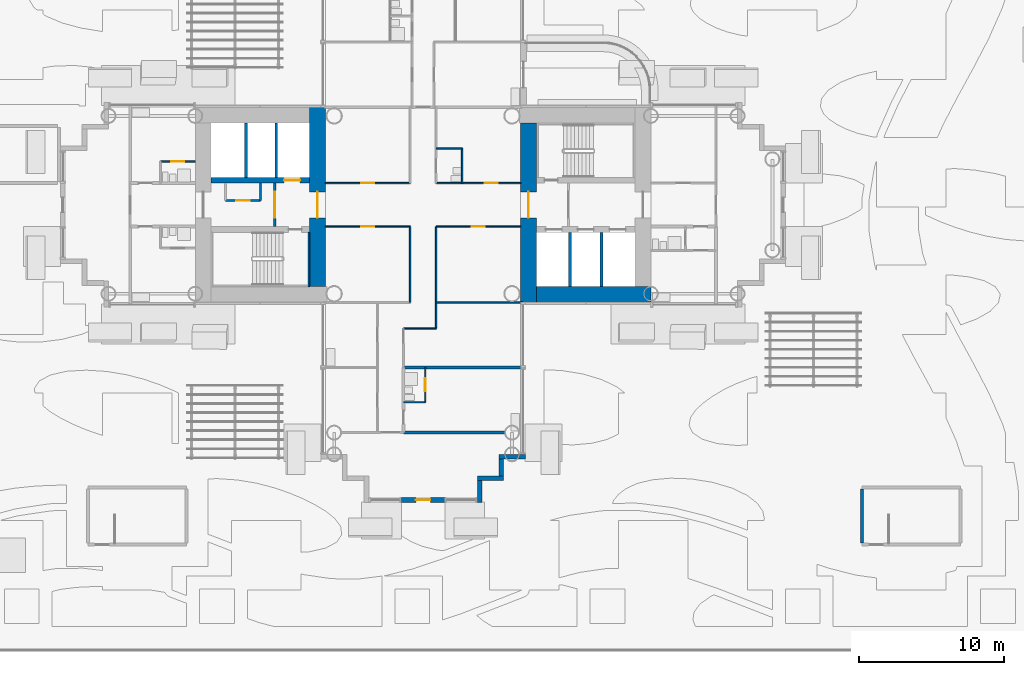
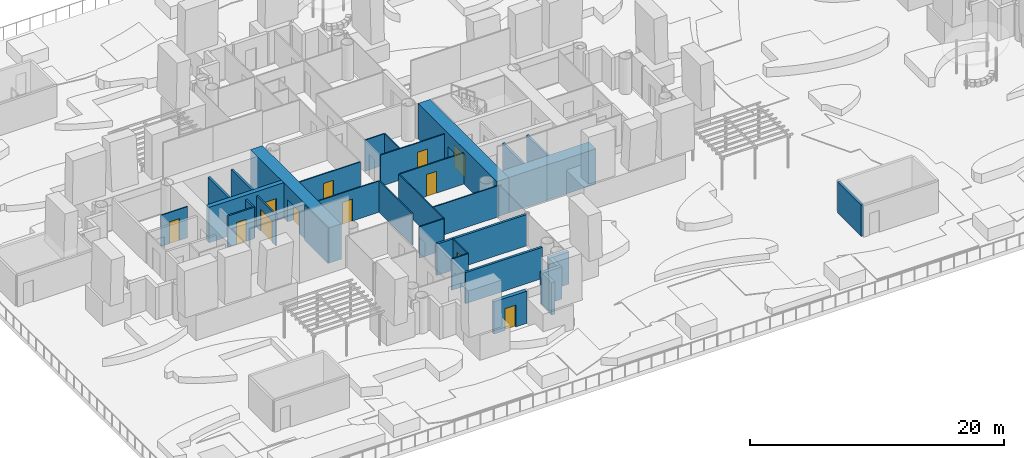
# One storey, part 24 of 40: 33 walls, 12 doors, 12 openings.
"""IFC4 building model written with IfcOpenShell, lengths in metres."""

import ifcopenshell
import ifcopenshell.guid

model = None  # the IFC model being written
_history = None  # IfcOwnerHistory: only IFC2X3 demands one
_inside = {}  # id of a spatial element -> (the spatial element, [elements in it])
_under = {}  # id of a project, library or spatial element -> (it, [spatial elements below it])
_declared = {}  # id of a project -> (the project, [libraries it declares])
_typed = {}  # id of a type object -> (the type object, [elements of that type])
_made_of = {}  # id of a material, layer set ... -> (it, [elements and type objects made of it])


def new_model(schema):
    """Start an empty IFC model of exactly this schema.

    Asked for "IFC4X3", IfcOpenShell would pick the latest addendum, in which some entities
    have other attributes; the version numbers below select the first issue.
    IFC2X3 requires an IfcOwnerHistory on every rooted entity: one is made here for all.
    """
    global model, _history
    if schema == "IFC4X3":
        model = ifcopenshell.file(schema_version=(4, 3, 0, 0))
    else:
        model = ifcopenshell.file(schema=schema)
    _inside.clear()
    _under.clear()
    _declared.clear()
    _typed.clear()
    _made_of.clear()
    _history = None
    if model.schema == "IFC2X3":
        org = make("IfcOrganization", Name="unknown")
        user = make(
            "IfcPersonAndOrganization",
            ThePerson=make("IfcPerson", FamilyName="unknown"),
            TheOrganization=org,
        )
        app = make(
            "IfcApplication",
            ApplicationDeveloper=org,
            Version="unknown",
            ApplicationFullName="unknown",
            ApplicationIdentifier="unknown",
        )
        _history = make(
            "IfcOwnerHistory",
            OwningUser=user,
            OwningApplication=app,
            ChangeAction="ADDED",
            CreationDate=0,
        )
    return model


def make(cls, **values):
    """One entity of the class cls with the attributes given. An attribute that is None is left unset."""
    return model.create_entity(
        cls, **{name: value for name, value in values.items() if value is not None}
    )


def rooted(cls, **values):
    """An entity with a GlobalId (a new one), such as an element, a storey or a relation."""
    return make(cls, GlobalId=ifcopenshell.guid.new(), OwnerHistory=_history, **values)


def si_unit(unit_type, name, prefix=None):
    """IfcSIUnit, for example si_unit("LENGTHUNIT", "METRE", prefix="MILLI")."""
    return make("IfcSIUnit", UnitType=unit_type, Prefix=prefix, Name=name)


def assignment(units):
    """IfcUnitAssignment: the units of a project."""
    return None if units is None else make("IfcUnitAssignment", Units=units)


def point(xyz):
    """IfcCartesianPoint."""
    return None if xyz is None else make("IfcCartesianPoint", Coordinates=xyz)


def direction(xyz):
    """IfcDirection."""
    return None if xyz is None else make("IfcDirection", DirectionRatios=xyz)


def frame(location, z_axis=None, x_axis=None):
    """IfcAxis2Placement3D, a coordinate frame: its origin and axes. An axis left out is left unset."""
    return make(
        "IfcAxis2Placement3D",
        Location=point(location),
        Axis=direction(z_axis),
        RefDirection=direction(x_axis),
    )


def frame_2d(location, x_axis=None):
    """IfcAxis2Placement2D, a coordinate frame in the plane: its origin and x axis."""
    return make(
        "IfcAxis2Placement2D", Location=point(location), RefDirection=direction(x_axis)
    )


def origin():
    """The frame at (0, 0, 0) with its axes left unset."""
    return frame((0.0, 0.0, 0.0))


def place(relative_to, where):
    """IfcLocalPlacement: puts the frame where relative to a parent placement (None: the world)."""
    return make(
        "IfcLocalPlacement", PlacementRelTo=relative_to, RelativePlacement=where
    )


def context(
    kind, dimensions, precision=None, world=None, true_north=None, identifier=None
):
    """IfcGeometricRepresentationContext, for example the 3D "Model" context."""
    return make(
        "IfcGeometricRepresentationContext",
        ContextIdentifier=identifier,
        ContextType=kind,
        CoordinateSpaceDimension=dimensions,
        Precision=precision,
        WorldCoordinateSystem=world,
        TrueNorth=true_north,
    )


def subcontext(parent, identifier, kind, view, scale=None):
    """IfcGeometricRepresentationSubContext, for example "Body" below "Model"."""
    return make(
        "IfcGeometricRepresentationSubContext",
        ContextIdentifier=identifier,
        ContextType=kind,
        ParentContext=parent,
        TargetScale=scale,
        TargetView=view,
    )


def project(units=None, contexts=None):
    """IfcProject with its units and contexts."""
    return rooted(
        "IfcProject",
        Name="project",
        RepresentationContexts=contexts,
        UnitsInContext=assignment(units),
    )


def spatial(cls, under=None, at=None, **own):
    """A site, building, storey or space (cls), placed at a placement, below another one or the project."""
    s = rooted(cls, ObjectPlacement=at, **own)
    if under is not None:
        _under.setdefault(under.id(), (under, []))[1].append(s)
    return s


def profile(cls, at=None, kind="AREA", **sizes):
    """A parametric profile (cls). Its sizes go by their IFC names, for example OverallWidth=200.0."""
    return make(cls, ProfileType=kind, Position=at, **sizes)


def rectangle(**sizes):
    """IfcRectangleProfileDef."""
    return profile("IfcRectangleProfileDef", **sizes)


def extrude(swept, where, along, depth):
    """IfcExtrudedAreaSolid: the profile swept, set in the frame where, extruded along a direction by depth."""
    return make(
        "IfcExtrudedAreaSolid",
        SweptArea=swept,
        Position=where,
        ExtrudedDirection=direction(along),
        Depth=depth,
    )


def shape(context_of_items, identifier, shape_type, items):
    """IfcShapeRepresentation: the items that make up one representation, for example the "Body"."""
    return make(
        "IfcShapeRepresentation",
        ContextOfItems=context_of_items,
        RepresentationIdentifier=identifier,
        RepresentationType=shape_type,
        Items=items,
    )


def material(Name=None, Category=None):
    """IfcMaterial."""
    return make("IfcMaterial", Name=Name, Category=Category)


def layer(
    of_material, thickness, ventilated=None, Name=None, Category=None, Priority=None
):
    """IfcMaterialLayer: one layer of a wall or slab, of a material (None: an air gap)."""
    return make(
        "IfcMaterialLayer",
        Material=of_material,
        LayerThickness=thickness,
        IsVentilated=ventilated,
        Name=Name,
        Category=Category,
        Priority=Priority,
    )


def layer_set(layers, Name=None):
    """IfcMaterialLayerSet."""
    return make("IfcMaterialLayerSet", MaterialLayers=layers, LayerSetName=Name)


def made_of(thing, what):
    """Note that an element or type object is made of a material, layer set ...; save() writes the relation."""
    if what is not None:
        _made_of.setdefault(what.id(), (what, []))[1].append(thing)
    return thing


def type_object(cls, material=None, **own):
    """A type object (cls), such as IfcWallType, which elements share."""
    return made_of(rooted(cls, **own), material)


def element(
    cls,
    number,
    at=None,
    inside=None,
    cuts=None,
    type_object=None,
    material=None,
    context=None,
    identifier="Body",
    shape_type=None,
    held_by="IfcProductDefinitionShape",
    body=None,
    shapes=None,
    **own,
):
    """One element of the class cls, such as IfcWall. Its Tag is "e" and its number.

    at: its placement. inside: the storey or other place that contains it. cuts: it is an
    opening in that element (IfcRelVoidsElement). A single representation is given by context,
    identifier, shape_type and body (its items); several are given by shapes. held_by: the class
    of the entity that holds the representations. save() writes the other relations.
    """
    e = rooted(cls, Tag="e%d" % number, ObjectPlacement=at, **own)
    if body is not None:
        shapes = [shape(context, identifier, shape_type, body)]
    if shapes is not None:
        e.Representation = make(held_by, Representations=shapes)
    if inside is not None:
        _inside.setdefault(inside.id(), (inside, []))[1].append(e)
    if cuts is not None:
        rooted(
            "IfcRelVoidsElement", RelatingBuildingElement=cuts, RelatedOpeningElement=e
        )
    if type_object is not None:
        _typed.setdefault(type_object.id(), (type_object, []))[1].append(e)
    return made_of(e, material)


def fill(opening, filler):
    """IfcRelFillsElement: the door or window that sits in an opening."""
    return rooted(
        "IfcRelFillsElement",
        RelatingOpeningElement=opening,
        RelatedBuildingElement=filler,
    )


def aggregate(whole, parts):
    """IfcRelAggregates: a whole, such as a stair, and the parts it consists of."""
    return rooted("IfcRelAggregates", RelatingObject=whole, RelatedObjects=parts)


def save(model, path):
    """Write the relations noted so far, then the file.

    IfcRelAggregates (storeys below a building ...), IfcRelContainedInSpatialStructure (elements
    in a storey), IfcRelDefinesByType, IfcRelAssociatesMaterial and IfcRelDeclares: one each for
    every whole, place, type object, material and project.
    """
    for whole, parts in _under.values():
        aggregate(whole, parts)
    for where, things in _inside.values():
        rooted(
            "IfcRelContainedInSpatialStructure",
            RelatedElements=things,
            RelatingStructure=where,
        )
    for kind, things in _typed.values():
        rooted("IfcRelDefinesByType", RelatedObjects=things, RelatingType=kind)
    for what, things in _made_of.values():
        rooted("IfcRelAssociatesMaterial", RelatedObjects=things, RelatingMaterial=what)
    for by, libraries in _declared.values():
        rooted("IfcRelDeclares", RelatingContext=by, RelatedDefinitions=libraries)
    model.write(path)


model = new_model("IFC4")

# Units and contexts
model_context = context("Model", 3, precision=1e-05, world=origin(), true_north=direction((0.0, 1.0)))
body_context = subcontext(model_context, "Body", "Model", "MODEL_VIEW")
ifc_project = project(units=[si_unit("LENGTHUNIT", "METRE"), si_unit("AREAUNIT", "SQUARE_METRE"), si_unit("VOLUMEUNIT", "CUBIC_METRE"), si_unit("PLANEANGLEUNIT", "RADIAN"), si_unit("MASSUNIT", "GRAM", prefix="KILO")], contexts=[model_context])

# Site, building, storey
site_placement = place(None, origin())
site = spatial("IfcSite", under=ifc_project, at=site_placement, CompositionType="ELEMENT")
building_placement = place(site_placement, origin())
building = spatial("IfcBuilding", under=site, at=building_placement, Name="Ipe Terrace Towers", CompositionType="ELEMENT")
storey_placement = place(building_placement, frame((0.0, 0.0, 24.5)))
storey = spatial("IfcBuildingStorey", under=building, at=storey_placement, Name="L05", CompositionType="ELEMENT", Elevation=24.5)

# Wall, opening, door
ifc_material_1 = material(Name="Concrete C40/50 with buff precast cladding", Category="concrete")
ifc_layer_1 = layer(ifc_material_1, 0.320068359375)
ifc_layer_set_1 = layer_set([ifc_layer_1], Name="BUFF CLADDING WALL 320")
wall_type_1 = type_object("IfcWallType", Name="BUFF CLADDING WALL 320", PredefinedType="STANDARD", material=ifc_layer_set_1)
wall_1_placement = place(storey_placement, frame((-37.5, -20.409912109375, 0.0), z_axis=(0.0, 0.0, 1.0), x_axis=(1.0, 0.0, 0.0)))
wall_1 = element("IfcWall", 1, at=wall_1_placement, inside=storey, type_object=wall_type_1, Name="T1-W-L05-12b wall", PredefinedType="STANDARD", context=body_context, shape_type="SweptSolid", body=[
    extrude(rectangle(XDim=3.0, YDim=0.320068359375, at=frame_2d((1.5, 0.0))), origin(), (0.0, 0.0, 1.0), 3.10009765625),
])
opening_1_placement = place(wall_1_placement, frame((1.0, 0.0, 0.0)))
opening_1 = element("IfcOpeningElement", 2, at=opening_1_placement, cuts=wall_1, Name="Opening T1-D-L05-12", PredefinedType="OPENING", context=body_context, shape_type="SweptSolid", body=[
    extrude(rectangle(XDim=1.0, YDim=2.10009765625, at=frame_2d((0.5, 1.050048828125))), frame((0.0, 0.169921875, 0.0), z_axis=(0.0, -1.0, 0.0), x_axis=(1.0, 0.0, 0.0)), (0.0, 0.0, 1.0), 0.340087890625),
])
ifc_material_2 = material(Name="Aluminium alloy 6063-T6 framed glazed door", Category="aluminium")
door_type_1 = type_object("IfcDoorType", Name="TERRACE DOOR 1000 x 2100", OperationType="SINGLE_SWING_LEFT", PredefinedType="DOOR", material=ifc_material_2)
door_1_placement = place(opening_1_placement, origin())
door_1 = element("IfcDoor", 3, at=door_1_placement, inside=storey, type_object=door_type_1, Name="DT1 door", OperationType="SINGLE_SWING_LEFT", OverallHeight=2.10009765625, OverallWidth=1.0, PredefinedType="DOOR", context=body_context, shape_type="SweptSolid", body=[
    extrude(rectangle(XDim=1.0, YDim=2.10009765625, at=frame_2d((0.5, 1.050048828125))), frame((0.0, 0.02490234375, 0.0), z_axis=(0.0, -1.0, 0.0), x_axis=(1.0, 0.0, 0.0)), (0.0, 0.0, 1.0), 0.050048828125),
])
fill(opening_1, door_1)

# Walls
wall_2_placement = place(storey_placement, frame((-32.090087890625, -20.570068359375, 0.0), z_axis=(0.0, 0.0, 1.0), x_axis=(0.0, 1.0, 0.0)))
element("IfcWall", 4, at=wall_2_placement, inside=storey, type_object=wall_type_1, Name="T1-W-L05-13a wall", PredefinedType="STANDARD", context=body_context, shape_type="SweptSolid", body=[
    extrude(rectangle(XDim=1.5, YDim=0.320068359375, at=frame_2d((0.75, 0.0))), origin(), (0.0, 0.0, 1.0), 3.10009765625),
])
wall_3_placement = place(storey_placement, frame((-32.25, -18.909912109375, 0.0), z_axis=(0.0, 0.0, 1.0), x_axis=(1.0, 0.0, 0.0)))
element("IfcWall", 5, at=wall_3_placement, inside=storey, type_object=wall_type_1, Name="T1-W-L05-14a wall", PredefinedType="STANDARD", context=body_context, shape_type="SweptSolid", body=[
    extrude(rectangle(XDim=1.820068359375, YDim=0.320068359375, at=frame_2d((0.91015625, 0.0))), origin(), (0.0, 0.0, 1.0), 3.10009765625),
])
wall_4_placement = place(storey_placement, frame((-30.590087890625, -18.75, 0.0), z_axis=(0.0, 0.0, 1.0), x_axis=(0.0, 1.0, 0.0)))
element("IfcWall", 6, at=wall_4_placement, inside=storey, type_object=wall_type_1, Name="T1-W-L05-15a wall", PredefinedType="STANDARD", context=body_context, shape_type="SweptSolid", body=[
    extrude(rectangle(XDim=1.179931640625, YDim=0.320068359375, at=frame_2d((0.58984375, 0.0))), origin(), (0.0, 0.0, 1.0), 3.10009765625),
])
wall_5_placement = place(storey_placement, frame((-30.75, -17.409912109375, 0.0), z_axis=(0.0, 0.0, 1.0), x_axis=(1.0, 0.0, 0.0)))
element("IfcWall", 7, at=wall_5_placement, inside=storey, type_object=wall_type_1, Name="T1-W-L05-16a wall", PredefinedType="STANDARD", context=body_context, shape_type="SweptSolid", body=[
    extrude(rectangle(XDim=1.820068359375, YDim=0.320068359375, at=frame_2d((0.91015625, 0.0))), origin(), (0.0, 0.0, 1.0), 3.10009765625),
])
ifc_material_3 = material(Name="Gypsum board partition", Category="plasterboard")
ifc_layer_2 = layer(ifc_material_3, 0.10009765625)
ifc_layer_set_2 = layer_set([ifc_layer_2], Name="Gypsum board partition 100 mm")
wall_type_2 = type_object("IfcWallType", Name="Gypsum board partition 100 mm", PredefinedType="PARTITIONING", material=ifc_layer_set_2)
wall_6_placement = place(storey_placement, frame((-36.89990234375, -6.75, 0.0), z_axis=(0.0, 0.0, 1.0), x_axis=(0.0, 1.0, 0.0)))
element("IfcWall", 8, at=wall_6_placement, inside=storey, type_object=wall_type_2, Name="Gypsum board partition T1 L05 W10", PredefinedType="PARTITIONING", context=body_context, shape_type="SweptSolid", body=[
    extrude(rectangle(XDim=5.25, YDim=0.10009765625, at=frame_2d((2.625, 0.0))), origin(), (0.0, 0.0, 1.0), 3.0),
])

# Wall, opening, door
wall_7_placement = place(storey_placement, frame((-35.85009765625, -13.64990234375, 0.0), z_axis=(0.0, 0.0, 1.0), x_axis=(0.0, 1.0, 0.0)))
wall_7 = element("IfcWall", 9, at=wall_7_placement, inside=storey, type_object=wall_type_2, Name="Gypsum board partition T1 L05 W13", PredefinedType="PARTITIONING", context=body_context, shape_type="SweptSolid", body=[
    extrude(rectangle(XDim=2.39990234375, YDim=0.10009765625, at=frame_2d((1.199951171875, 0.0))), origin(), (0.0, 0.0, 1.0), 3.0),
])
opening_2_placement = place(wall_7_placement, frame((0.75, 0.0, 0.0)))
opening_2 = element("IfcOpeningElement", 10, at=opening_2_placement, cuts=wall_7, Name="Opening T1-Z1A-18", PredefinedType="OPENING", context=body_context, shape_type="SweptSolid", body=[
    extrude(rectangle(XDim=0.89990234375, YDim=2.10009765625, at=frame_2d((0.449951171875, 1.050048828125))), frame((0.0, 0.06005859375, 0.0), z_axis=(0.0, -1.0, 0.0), x_axis=(1.0, 0.0, 0.0)), (0.0, 0.0, 1.0), 0.1201171875),
])
ifc_material_4 = material(Name="Timber door leaf", Category="wood")
door_type_2 = type_object("IfcDoorType", Name="Bathroom door 900 x 2100", OperationType="NOTDEFINED", PredefinedType="DOOR", material=ifc_material_4)
door_2_placement = place(opening_2_placement, origin())
door_2 = element("IfcDoor", 11, at=door_2_placement, inside=storey, type_object=door_type_2, Name="Bathroom door T1-Z1A-18", OperationType="SINGLE_SWING_LEFT", OverallHeight=2.10009765625, OverallWidth=0.89990234375, PredefinedType="DOOR", context=body_context, shape_type="SweptSolid", body=[
    extrude(rectangle(XDim=0.89990234375, YDim=2.10009765625, at=frame_2d((0.449951171875, 1.050048828125))), frame((0.0, 0.02490234375, 0.0), z_axis=(0.0, -1.0, 0.0), x_axis=(1.0, 0.0, 0.0)), (0.0, 0.0, 1.0), 0.050048828125),
])
fill(opening_2, door_2)

# Walls
wall_8_placement = place(storey_placement, frame((-35.10009765625, -8.550048828125, 0.0), z_axis=(0.0, 0.0, 1.0), x_axis=(0.0, 1.0, 0.0)))
element("IfcWall", 12, at=wall_8_placement, inside=storey, type_object=wall_type_2, Name="Gypsum board partition T1 L05 W15", PredefinedType="PARTITIONING", context=body_context, shape_type="SweptSolid", body=[
    extrude(rectangle(XDim=7.050048828125, YDim=0.10009765625, at=frame_2d((3.52490234375, 0.0))), origin(), (0.0, 0.0, 1.0), 3.0),
])
wall_9_placement = place(storey_placement, frame((-33.300048828125, 1.5, 0.0), z_axis=(0.0, 0.0, 1.0), x_axis=(0.0, 1.0, 0.0)))
element("IfcWall", 13, at=wall_9_placement, inside=storey, type_object=wall_type_2, Name="Gypsum board partition T1 L05 W18", PredefinedType="PARTITIONING", context=body_context, shape_type="SweptSolid", body=[
    extrude(rectangle(XDim=2.39990234375, YDim=0.10009765625, at=frame_2d((1.199951171875, 0.0))), origin(), (0.0, 0.0, 1.0), 3.0),
])
wall_10_placement = place(storey_placement, frame((-37.35009765625, -13.64990234375, 0.0), z_axis=(0.0, 0.0, 1.0), x_axis=(1.0, 0.0, 0.0)))
element("IfcWall", 14, at=wall_10_placement, inside=storey, type_object=wall_type_2, Name="Gypsum board partition T1 L05 W24", PredefinedType="PARTITIONING", context=body_context, shape_type="SweptSolid", body=[
    extrude(rectangle(XDim=1.5, YDim=0.10009765625, at=frame_2d((0.75, 0.0))), origin(), (0.0, 0.0, 1.0), 3.0),
])
wall_11_placement = place(storey_placement, frame((-37.35009765625, -8.550048828125, 0.0), z_axis=(0.0, 0.0, 1.0), x_axis=(1.0, 0.0, 0.0)))
element("IfcWall", 15, at=wall_11_placement, inside=storey, type_object=wall_type_2, Name="Gypsum board partition T1 L05 W27", PredefinedType="PARTITIONING", context=body_context, shape_type="SweptSolid", body=[
    extrude(rectangle(XDim=2.25, YDim=0.10009765625, at=frame_2d((1.125, 0.0))), origin(), (0.0, 0.0, 1.0), 3.0),
])
wall_12_placement = place(storey_placement, frame((-35.10009765625, -6.75, 0.0), z_axis=(0.0, 0.0, 1.0), x_axis=(1.0, 0.0, 0.0)))
element("IfcWall", 16, at=wall_12_placement, inside=storey, type_object=wall_type_2, Name="Gypsum board partition T1 L05 W29", PredefinedType="PARTITIONING", context=body_context, shape_type="SweptSolid", body=[
    extrude(rectangle(XDim=5.9501953125, YDim=0.10009765625, at=frame_2d((2.97509765625, 0.0))), origin(), (0.0, 0.0, 1.0), 3.0),
])

# Wall, opening, door
wall_13_placement = place(storey_placement, frame((-42.75, -1.5, 0.0), z_axis=(0.0, 0.0, 1.0), x_axis=(1.0, 0.0, 0.0)))
wall_13 = element("IfcWall", 17, at=wall_13_placement, inside=storey, type_object=wall_type_2, Name="Gypsum board partition T1 L05 W32", PredefinedType="PARTITIONING", context=body_context, shape_type="SweptSolid", body=[
    extrude(rectangle(XDim=5.85009765625, YDim=0.10009765625, at=frame_2d((2.925048828125, 0.0))), origin(), (0.0, 0.0, 1.0), 3.0),
])
opening_3_placement = place(wall_13_placement, frame((2.47509765625, 0.0, 0.0)))
opening_3 = element("IfcOpeningElement", 18, at=opening_3_placement, cuts=wall_13, Name="Opening T1-Z1A-04", PredefinedType="OPENING", context=body_context, shape_type="SweptSolid", body=[
    extrude(rectangle(XDim=0.89990234375, YDim=2.10009765625, at=frame_2d((0.449951171875, 1.050048828125))), frame((0.0, 0.06005859375, 0.0), z_axis=(0.0, -1.0, 0.0), x_axis=(1.0, 0.0, 0.0)), (0.0, 0.0, 1.0), 0.1201171875),
])
ifc_material_5 = material(Name="Timber door leaf", Category="wood")
door_type_3 = type_object("IfcDoorType", Name="Lounge door 900 x 2100", OperationType="NOTDEFINED", PredefinedType="DOOR", material=ifc_material_5)
door_3_placement = place(opening_3_placement, origin())
door_3 = element("IfcDoor", 19, at=door_3_placement, inside=storey, type_object=door_type_3, Name="Lounge door T1-Z1A-04", OperationType="SINGLE_SWING_LEFT", OverallHeight=2.10009765625, OverallWidth=0.89990234375, PredefinedType="DOOR", context=body_context, shape_type="SweptSolid", body=[
    extrude(rectangle(XDim=0.89990234375, YDim=2.10009765625, at=frame_2d((0.449951171875, 1.050048828125))), frame((0.0, 0.02490234375, 0.0), z_axis=(0.0, -1.0, 0.0), x_axis=(1.0, 0.0, 0.0)), (0.0, 0.0, 1.0), 0.050048828125),
])
fill(opening_3, door_3)

wall_14_placement = place(storey_placement, frame((-35.10009765625, -1.5, 0.0), z_axis=(0.0, 0.0, 1.0), x_axis=(1.0, 0.0, 0.0)))
wall_14 = element("IfcWall", 20, at=wall_14_placement, inside=storey, type_object=wall_type_2, Name="Gypsum board partition T1 L05 W33", PredefinedType="PARTITIONING", context=body_context, shape_type="SweptSolid", body=[
    extrude(rectangle(XDim=5.85009765625, YDim=0.10009765625, at=frame_2d((2.925048828125, 0.0))), origin(), (0.0, 0.0, 1.0), 3.0),
])
opening_4_placement = place(wall_14_placement, frame((2.47509765625, 0.0, 0.0)))
opening_4 = element("IfcOpeningElement", 21, at=opening_4_placement, cuts=wall_14, Name="Opening T1-Z1A-05", PredefinedType="OPENING", context=body_context, shape_type="SweptSolid", body=[
    extrude(rectangle(XDim=0.89990234375, YDim=2.10009765625, at=frame_2d((0.449951171875, 1.050048828125))), frame((0.0, 0.06005859375, 0.0), z_axis=(0.0, -1.0, 0.0), x_axis=(1.0, 0.0, 0.0)), (0.0, 0.0, 1.0), 0.1201171875),
])
door_4_placement = place(opening_4_placement, origin())
door_4 = element("IfcDoor", 22, at=door_4_placement, inside=storey, type_object=door_type_3, Name="Lounge door T1-Z1A-05", OperationType="SINGLE_SWING_RIGHT", OverallHeight=2.10009765625, OverallWidth=0.89990234375, PredefinedType="DOOR", context=body_context, shape_type="SweptSolid", body=[
    extrude(rectangle(XDim=0.89990234375, YDim=2.10009765625, at=frame_2d((0.449951171875, 1.050048828125))), frame((0.0, 0.02490234375, 0.0), z_axis=(0.0, -1.0, 0.0), x_axis=(1.0, 0.0, 0.0)), (0.0, 0.0, 1.0), 0.050048828125),
])
fill(opening_4, door_4)

wall_15_placement = place(storey_placement, frame((-42.75, 1.5, 0.0), z_axis=(0.0, 0.0, 1.0), x_axis=(1.0, 0.0, 0.0)))
wall_15 = element("IfcWall", 23, at=wall_15_placement, inside=storey, type_object=wall_type_2, Name="Gypsum board partition T1 L05 W36", PredefinedType="PARTITIONING", context=body_context, shape_type="SweptSolid", body=[
    extrude(rectangle(XDim=5.85009765625, YDim=0.10009765625, at=frame_2d((2.925048828125, 0.0))), origin(), (0.0, 0.0, 1.0), 3.0),
])
opening_5_placement = place(wall_15_placement, frame((2.47509765625, 0.0, 0.0)))
opening_5 = element("IfcOpeningElement", 24, at=opening_5_placement, cuts=wall_15, Name="Opening T1-Z1A-03", PredefinedType="OPENING", context=body_context, shape_type="SweptSolid", body=[
    extrude(rectangle(XDim=0.89990234375, YDim=2.10009765625, at=frame_2d((0.449951171875, 1.050048828125))), frame((0.0, 0.06005859375, 0.0), z_axis=(0.0, -1.0, 0.0), x_axis=(1.0, 0.0, 0.0)), (0.0, 0.0, 1.0), 0.1201171875),
])
door_5_placement = place(opening_5_placement, origin())
door_5 = element("IfcDoor", 25, at=door_5_placement, inside=storey, type_object=door_type_3, Name="Lounge door T1-Z1A-03", OperationType="SINGLE_SWING_RIGHT", OverallHeight=2.10009765625, OverallWidth=0.89990234375, PredefinedType="DOOR", context=body_context, shape_type="SweptSolid", body=[
    extrude(rectangle(XDim=0.89990234375, YDim=2.10009765625, at=frame_2d((0.449951171875, 1.050048828125))), frame((0.0, 0.02490234375, 0.0), z_axis=(0.0, -1.0, 0.0), x_axis=(1.0, 0.0, 0.0)), (0.0, 0.0, 1.0), 0.050048828125),
])
fill(opening_5, door_5)

wall_16_placement = place(storey_placement, frame((-35.10009765625, 1.5, 0.0), z_axis=(0.0, 0.0, 1.0), x_axis=(1.0, 0.0, 0.0)))
wall_16 = element("IfcWall", 26, at=wall_16_placement, inside=storey, type_object=wall_type_2, Name="Gypsum board partition T1 L05 W37", PredefinedType="PARTITIONING", context=body_context, shape_type="SweptSolid", body=[
    extrude(rectangle(XDim=5.85009765625, YDim=0.10009765625, at=frame_2d((2.925048828125, 0.0))), origin(), (0.0, 0.0, 1.0), 3.0),
])
opening_6_placement = place(wall_16_placement, frame((3.375, 0.0, 0.0)))
opening_6 = element("IfcOpeningElement", 27, at=opening_6_placement, cuts=wall_16, Name="Opening T1-Z1A-02", PredefinedType="OPENING", context=body_context, shape_type="SweptSolid", body=[
    extrude(rectangle(XDim=0.89990234375, YDim=2.10009765625, at=frame_2d((0.449951171875, 1.050048828125))), frame((0.0, 0.06005859375, 0.0), z_axis=(0.0, -1.0, 0.0), x_axis=(1.0, 0.0, 0.0)), (0.0, 0.0, 1.0), 0.1201171875),
])
door_6_placement = place(opening_6_placement, origin())
door_6 = element("IfcDoor", 28, at=door_6_placement, inside=storey, type_object=door_type_3, Name="Lounge door T1-Z1A-02", OperationType="SINGLE_SWING_LEFT", OverallHeight=2.10009765625, OverallWidth=0.89990234375, PredefinedType="DOOR", context=body_context, shape_type="SweptSolid", body=[
    extrude(rectangle(XDim=0.89990234375, YDim=2.10009765625, at=frame_2d((0.449951171875, 1.050048828125))), frame((0.0, 0.02490234375, 0.0), z_axis=(0.0, -1.0, 0.0), x_axis=(1.0, 0.0, 0.0)), (0.0, 0.0, 1.0), 0.050048828125),
])
fill(opening_6, door_6)

wall_17_placement = place(storey_placement, frame((-54.14990234375, 3.0, 0.0), z_axis=(0.0, 0.0, 1.0), x_axis=(1.0, 0.0, 0.0)))
wall_17 = element("IfcWall", 29, at=wall_17_placement, inside=storey, type_object=wall_type_2, Name="Gypsum board partition T1 L05 W40", PredefinedType="PARTITIONING", context=body_context, shape_type="SweptSolid", body=[
    extrude(rectangle(XDim=2.39990234375, YDim=0.10009765625, at=frame_2d((1.199951171875, 0.0))), origin(), (0.0, 0.0, 1.0), 3.0),
])
opening_7_placement = place(wall_17_placement, frame((0.75, 0.0, 0.0)))
opening_7 = element("IfcOpeningElement", 30, at=opening_7_placement, cuts=wall_17, Name="Opening T1-Z1A-30", PredefinedType="OPENING", context=body_context, shape_type="SweptSolid", body=[
    extrude(rectangle(XDim=0.89990234375, YDim=2.10009765625, at=frame_2d((0.449951171875, 1.050048828125))), frame((0.0, 0.06005859375, 0.0), z_axis=(0.0, -1.0, 0.0), x_axis=(1.0, 0.0, 0.0)), (0.0, 0.0, 1.0), 0.1201171875),
])
door_7_placement = place(opening_7_placement, origin())
door_7 = element("IfcDoor", 31, at=door_7_placement, inside=storey, type_object=door_type_2, Name="Bathroom door T1-Z1A-30", OperationType="SINGLE_SWING_RIGHT", OverallHeight=2.10009765625, OverallWidth=0.89990234375, PredefinedType="DOOR", context=body_context, shape_type="SweptSolid", body=[
    extrude(rectangle(XDim=0.89990234375, YDim=2.10009765625, at=frame_2d((0.449951171875, 1.050048828125))), frame((0.0, 0.02490234375, 0.0), z_axis=(0.0, -1.0, 0.0), x_axis=(1.0, 0.0, 0.0)), (0.0, 0.0, 1.0), 0.050048828125),
])
fill(opening_7, door_7)

# Wall
wall_18_placement = place(storey_placement, frame((-35.10009765625, 3.89990234375, 0.0), z_axis=(0.0, 0.0, 1.0), x_axis=(1.0, 0.0, 0.0)))
element("IfcWall", 32, at=wall_18_placement, inside=storey, type_object=wall_type_2, Name="Gypsum board partition T1 L05 W41", PredefinedType="PARTITIONING", context=body_context, shape_type="SweptSolid", body=[
    extrude(rectangle(XDim=1.800048828125, YDim=0.10009765625, at=frame_2d((0.89990234375, 0.0))), origin(), (0.0, 0.0, 1.0), 3.0),
])

# Wall, opening, door
ifc_material_6 = material(Name="Gypsum board partition", Category="plasterboard")
ifc_layer_3 = layer(ifc_material_6, 0.14990234375)
ifc_layer_set_3 = layer_set([ifc_layer_3], Name="Gypsum board partition 150 mm")
wall_type_3 = type_object("IfcWallType", Name="Gypsum board partition 150 mm", PredefinedType="PARTITIONING", material=ifc_layer_set_3)
wall_19_placement = place(storey_placement, frame((-46.25, 1.5, 0.0), z_axis=(0.0, 0.0, 1.0), x_axis=(0.0, -1.0, 0.0)))
wall_19 = element("IfcWall", 33, at=wall_19_placement, inside=storey, type_object=wall_type_3, Name="Gypsum board partition T1 L05 t1c2-lobby-wall", PredefinedType="PARTITIONING", context=body_context, shape_type="SweptSolid", body=[
    extrude(rectangle(XDim=3.0, YDim=0.14990234375, at=frame_2d((1.5, 0.0))), origin(), (0.0, 0.0, 1.0), 3.0),
])
opening_8_placement = place(wall_19_placement, frame((0.60009765625, 0.0, 0.0)))
opening_8 = element("IfcOpeningElement", 34, at=opening_8_placement, cuts=wall_19, Name="Opening T1C2-VD", PredefinedType="OPENING", context=body_context, shape_type="SweptSolid", body=[
    extrude(rectangle(XDim=1.800048828125, YDim=2.10009765625, at=frame_2d((0.89990234375, 1.050048828125))), frame((0.0, 0.0849609375, 0.0), z_axis=(0.0, -1.0, 0.0), x_axis=(1.0, 0.0, 0.0)), (0.0, 0.0, 1.0), 0.169921875),
])
ifc_material_7 = material(Name="Fire-rated timber door leaf", Category="wood")
door_type_4 = type_object("IfcDoorType", Name="Lobby door 1800 x 2100 FD60", OperationType="NOTDEFINED", PredefinedType="DOOR", material=ifc_material_7)
door_8_placement = place(opening_8_placement, origin())
door_8 = element("IfcDoor", 35, at=door_8_placement, inside=storey, type_object=door_type_4, Name="Lobby door T1C2-VD", OperationType="SINGLE_SWING_LEFT", OverallHeight=2.10009765625, OverallWidth=1.800048828125, PredefinedType="DOOR", context=body_context, shape_type="SweptSolid", body=[
    extrude(rectangle(XDim=1.800048828125, YDim=2.10009765625, at=frame_2d((0.89990234375, 1.050048828125))), frame((0.0, 0.02490234375, 0.0), z_axis=(0.0, -1.0, 0.0), x_axis=(1.0, 0.0, 0.0)), (0.0, 0.0, 1.0), 0.050048828125),
])
fill(opening_8, door_8)

wall_20_placement = place(storey_placement, frame((-47.25, 0.300048828125, 0.0), z_axis=(0.0, 0.0, 1.0), x_axis=(-1.0, 0.0, 0.0)))
wall_20 = element("IfcWall", 36, at=wall_20_placement, inside=storey, type_object=wall_type_3, Name="Gypsum board partition T1 L05 t1c2-cup-s-f", PredefinedType="PARTITIONING", context=body_context, shape_type="SweptSolid", body=[
    extrude(rectangle(XDim=2.39990234375, YDim=0.14990234375, at=frame_2d((1.199951171875, 0.0))), origin(), (0.0, 0.0, 1.0), 3.0),
])
opening_9_placement = place(wall_20_placement, frame((0.75, 0.0, 0.0)))
opening_9 = element("IfcOpeningElement", 37, at=opening_9_placement, cuts=wall_20, Name="Opening T1C2-SC", PredefinedType="OPENING", context=body_context, shape_type="SweptSolid", body=[
    extrude(rectangle(XDim=0.89990234375, YDim=2.10009765625, at=frame_2d((0.449951171875, 1.050048828125))), frame((0.0, 0.0849609375, 0.0), z_axis=(0.0, -1.0, 0.0), x_axis=(1.0, 0.0, 0.0)), (0.0, 0.0, 1.0), 0.169921875),
])
ifc_material_8 = material(Name="Fire-rated timber door leaf", Category="wood")
door_type_5 = type_object("IfcDoorType", Name="Service door 900 x 2100 FD30S", OperationType="NOTDEFINED", PredefinedType="DOOR", material=ifc_material_8)
door_9_placement = place(opening_9_placement, origin())
door_9 = element("IfcDoor", 38, at=door_9_placement, inside=storey, type_object=door_type_5, Name="Service door T1C2-SC", OperationType="SINGLE_SWING_LEFT", OverallHeight=2.10009765625, OverallWidth=0.89990234375, PredefinedType="DOOR", context=body_context, shape_type="SweptSolid", body=[
    extrude(rectangle(XDim=0.89990234375, YDim=2.10009765625, at=frame_2d((0.449951171875, 1.050048828125))), frame((0.0, 0.02490234375, 0.0), z_axis=(0.0, -1.0, 0.0), x_axis=(1.0, 0.0, 0.0)), (0.0, 0.0, 1.0), 0.050048828125),
])
fill(opening_9, door_9)

# Walls
wall_21_placement = place(storey_placement, frame((-47.25, 0.300048828125, 0.0), z_axis=(0.0, 0.0, 1.0), x_axis=(0.0, 1.0, 0.0)))
element("IfcWall", 39, at=wall_21_placement, inside=storey, type_object=wall_type_3, Name="Gypsum board partition T1 L05 t1c2-cup-s-a", PredefinedType="PARTITIONING", context=body_context, shape_type="SweptSolid", body=[
    extrude(rectangle(XDim=1.199951171875, YDim=0.14990234375, at=frame_2d((0.60009765625, 0.0))), origin(), (0.0, 0.0, 1.0), 3.0),
])
ifc_material_9 = material(Name="Gypsum board party wall", Category="plasterboard")
ifc_layer_4 = layer(ifc_material_9, 0.199951171875)
ifc_layer_set_4 = layer_set([ifc_layer_4], Name="Gypsum board party wall 200 mm")
wall_type_4 = type_object("IfcWallType", Name="Gypsum board party wall 200 mm", PredefinedType="SOLIDWALL", material=ifc_layer_set_4)
for number, where, z_axis, x_axis, name in (
    (40, (-25.85009765625, -5.64990234375, 0.0), (0.0, 0.0, 1.0), (0.0, 1.0, 0.0), "Gypsum board party wall T1 L05 t1c1-shaft-div1"),
    (41, (-23.64990234375, -5.64990234375, 0.0), (0.0, 0.0, 1.0), (0.0, 1.0, 0.0), "Gypsum board party wall T1 L05 t1c1-shaft-div2"),
    (42, (-46.14990234375, 5.64990234375, 0.0), (0.0, 0.0, 1.0), (0.0, -1.0, 0.0), "Gypsum board party wall T1 L05 t1c2-shaft-div1"),
    (43, (-48.25, 5.64990234375, 0.0), (0.0, 0.0, 1.0), (0.0, -1.0, 0.0), "Gypsum board party wall T1 L05 t1c2-shaft-div2"),
):
    element("IfcWall", number, at=place(storey_placement, frame(where, z_axis=z_axis, x_axis=x_axis)), inside=storey, type_object=wall_type_4, Name=name, PredefinedType="SOLIDWALL", context=body_context, shape_type="SweptSolid", body=[
        extrude(rectangle(XDim=3.75, YDim=0.199951171875, at=frame_2d((1.875, 0.0))), origin(), (0.0, 0.0, 1.0), 3.0),
    ])
wall_22_placement = place(storey_placement, frame((-37.35009765625, -15.75, 0.0), z_axis=(0.0, 0.0, 1.0), x_axis=(1.0, 0.0, 0.0)))
element("IfcWall", 44, at=wall_22_placement, inside=storey, type_object=wall_type_4, Name="Gypsum board party wall T1 L05 W23", PredefinedType="SOLIDWALL", context=body_context, shape_type="SweptSolid", body=[
    extrude(rectangle(XDim=7.0, YDim=0.199951171875, at=frame_2d((3.5, 0.0))), origin(), (0.0, 0.0, 1.0), 3.0),
])
wall_23_placement = place(storey_placement, frame((-37.35009765625, -11.25, 0.0), z_axis=(0.0, 0.0, 1.0), x_axis=(1.0, 0.0, 0.0)))
element("IfcWall", 45, at=wall_23_placement, inside=storey, type_object=wall_type_4, Name="Gypsum board party wall T1 L05 W26", PredefinedType="SOLIDWALL", context=body_context, shape_type="SweptSolid", body=[
    extrude(rectangle(XDim=8.2001953125, YDim=0.199951171875, at=frame_2d((4.10009765625, 0.0))), origin(), (0.0, 0.0, 1.0), 3.0),
])
ifc_material_10 = material(Name="Concrete C60/75", Category="concrete")
ifc_layer_5 = layer(ifc_material_10, 0.10009765625)
ifc_layer_set_5 = layer_set([ifc_layer_5], Name="RW100 CORE INFILL WALL 100 C60-75")
wall_type_5 = type_object("IfcWallType", Name="RW100 CORE INFILL WALL 100 C60-75", PredefinedType="SHEAR", material=ifc_layer_set_5)
wall_24_placement = place(storey_placement, frame((-43.89990234375, -1.89990234375, 0.0), z_axis=(0.0, 0.0, 1.0), x_axis=(0.0, -1.0, 0.0)))
element("IfcWall", 46, at=wall_24_placement, inside=storey, type_object=wall_type_5, Name="Core infill wall T1-C2-near", PredefinedType="SHEAR", context=body_context, shape_type="SweptSolid", body=[
    extrude(rectangle(XDim=3.75, YDim=0.10009765625, at=frame_2d((1.875, 0.0))), origin(), (0.0, 0.0, 1.0), 3.39990234375),
])
ifc_material_11 = material(Name="Concrete C60/75", Category="concrete")
ifc_layer_6 = layer(ifc_material_11, 1.10009765625)
ifc_layer_set_6 = layer_set([ifc_layer_6], Name="RW1100 CORE WALL 1100 C60-75")
wall_type_6 = type_object("IfcWallType", Name="RW1100 CORE WALL 1100 C60-75", PredefinedType="SHEAR", material=ifc_layer_set_6)
wall_25_placement = place(storey_placement, frame((-28.14990234375, -6.199951171875, 0.0), z_axis=(0.0, 0.0, 1.0), x_axis=(1.0, 0.0, 0.0)))
element("IfcWall", 47, at=wall_25_placement, inside=storey, type_object=wall_type_6, Name="Core wall T1-C1-Z1-W01", PredefinedType="SHEAR", context=body_context, shape_type="SweptSolid", body=[
    extrude(rectangle(XDim=7.89990234375, YDim=1.10009765625, at=frame_2d((3.949951171875, 0.0))), origin(), (0.0, 0.0, 1.0), 3.39990234375),
])

# Wall, opening, door
wall_26_placement = place(storey_placement, frame((-28.699951171875, 5.64990234375, 0.0), z_axis=(0.0, 0.0, 1.0), x_axis=(0.0, -1.0, 0.0)))
wall_26 = element("IfcWall", 48, at=wall_26_placement, inside=storey, type_object=wall_type_6, Name="Core wall T1-C1-Z1-W04", PredefinedType="SHEAR", context=body_context, shape_type="SweptSolid", body=[
    extrude(rectangle(XDim=12.39990234375, YDim=1.10009765625, at=frame_2d((6.199951171875, 0.0))), origin(), (0.0, 0.0, 1.0), 3.39990234375),
])
opening_10_placement = place(wall_26_placement, frame((4.75, 0.0, 0.0)))
opening_10 = element("IfcOpeningElement", 49, at=opening_10_placement, cuts=wall_26, Name="Opening T1C1-ND", PredefinedType="OPENING", context=body_context, shape_type="SweptSolid", body=[
    extrude(rectangle(XDim=1.800048828125, YDim=2.10009765625, at=frame_2d((0.89990234375, 1.050048828125))), frame((0.0, 0.56005859375, 0.0), z_axis=(0.0, -1.0, 0.0), x_axis=(1.0, 0.0, 0.0)), (0.0, 0.0, 1.0), 1.1201171875),
])
ifc_material_12 = material(Name="Fire-rated timber door leaf", Category="wood")
door_type_6 = type_object("IfcDoorType", Name="Fire door 1800 x 2100 FD30S", OperationType="NOTDEFINED", PredefinedType="DOOR", material=ifc_material_12)
door_10_placement = place(opening_10_placement, origin())
door_10 = element("IfcDoor", 50, at=door_10_placement, inside=storey, type_object=door_type_6, Name="Fire door T1C1-ND", OperationType="SINGLE_SWING_LEFT", OverallHeight=2.10009765625, OverallWidth=1.800048828125, PredefinedType="DOOR", context=body_context, shape_type="SweptSolid", body=[
    extrude(rectangle(XDim=1.800048828125, YDim=2.10009765625, at=frame_2d((0.89990234375, 1.050048828125))), frame((0.0, 0.02490234375, 0.0), z_axis=(0.0, -1.0, 0.0), x_axis=(1.0, 0.0, 0.0)), (0.0, 0.0, 1.0), 0.050048828125),
])
fill(opening_10, door_10)

wall_27_placement = place(storey_placement, frame((-43.300048828125, -5.64990234375, 0.0), z_axis=(0.0, 0.0, 1.0), x_axis=(0.0, 1.0, 0.0)))
wall_27 = element("IfcWall", 51, at=wall_27_placement, inside=storey, type_object=wall_type_6, Name="Core wall T1-C2-Z1-W02", PredefinedType="SHEAR", context=body_context, shape_type="SweptSolid", body=[
    extrude(rectangle(XDim=12.39990234375, YDim=1.10009765625, at=frame_2d((6.199951171875, 0.0))), origin(), (0.0, 0.0, 1.0), 3.39990234375),
])
opening_11_placement = place(wall_27_placement, frame((4.75, 0.0, 0.0)))
opening_11 = element("IfcOpeningElement", 52, at=opening_11_placement, cuts=wall_27, Name="Opening T1C2-ND", PredefinedType="OPENING", context=body_context, shape_type="SweptSolid", body=[
    extrude(rectangle(XDim=1.800048828125, YDim=2.10009765625, at=frame_2d((0.89990234375, 1.050048828125))), frame((0.0, 0.56005859375, 0.0), z_axis=(0.0, -1.0, 0.0), x_axis=(1.0, 0.0, 0.0)), (0.0, 0.0, 1.0), 1.1201171875),
])
door_11_placement = place(opening_11_placement, origin())
door_11 = element("IfcDoor", 53, at=door_11_placement, inside=storey, type_object=door_type_6, Name="Fire door T1C2-ND", OperationType="SINGLE_SWING_LEFT", OverallHeight=2.10009765625, OverallWidth=1.800048828125, PredefinedType="DOOR", context=body_context, shape_type="SweptSolid", body=[
    extrude(rectangle(XDim=1.800048828125, YDim=2.10009765625, at=frame_2d((0.89990234375, 1.050048828125))), frame((0.0, 0.02490234375, 0.0), z_axis=(0.0, -1.0, 0.0), x_axis=(1.0, 0.0, 0.0)), (0.0, 0.0, 1.0), 0.050048828125),
])
fill(opening_11, door_11)

# Wall
ifc_material_13 = material(Name="Concrete C40/50", Category="concrete")
ifc_layer_7 = layer(ifc_material_13, 0.199951171875)
ifc_layer_set_7 = layer_set([ifc_layer_7], Name="RW200 PODIUM STAIR SHAFT WALL 200 C40-50")
wall_type_7 = type_object("IfcWallType", Name="RW200 PODIUM STAIR SHAFT WALL 200 C40-50", PredefinedType="SHEAR", material=ifc_layer_set_7)
wall_28_placement = place(storey_placement, frame((-5.64990234375, -23.39990234375, 0.0), z_axis=(0.0, 0.0, 1.0), x_axis=(0.0, 1.0, 0.0)))
element("IfcWall", 54, at=wall_28_placement, inside=storey, type_object=wall_type_7, Name="Stair shaft wall T1 L05 ps5-w", PredefinedType="SHEAR", context=body_context, shape_type="SweptSolid", body=[
    extrude(rectangle(XDim=3.75, YDim=0.199951171875, at=frame_2d((1.875, 0.0))), origin(), (0.0, 0.0, 1.0), 3.0),
])

# Wall, opening, door
ifc_material_14 = material(Name="Concrete C60/75", Category="concrete")
ifc_layer_8 = layer(ifc_material_14, 0.39990234375)
ifc_layer_set_8 = layer_set([ifc_layer_8], Name="RW400 CORE SPINE WALL 400 C60-75")
wall_type_8 = type_object("IfcWallType", Name="RW400 CORE SPINE WALL 400 C60-75", PredefinedType="SHEAR", material=ifc_layer_set_8)
wall_29_placement = place(storey_placement, frame((-50.64990234375, 1.699951171875, 0.0), z_axis=(0.0, 0.0, 1.0), x_axis=(1.0, 0.0, 0.0)))
wall_29 = element("IfcWall", 55, at=wall_29_placement, inside=storey, type_object=wall_type_8, Name="Core spine wall T1-C2-Z1-SW2", PredefinedType="SHEAR", context=body_context, shape_type="SweptSolid", body=[
    extrude(rectangle(XDim=6.7998046875, YDim=0.39990234375, at=frame_2d((3.39990234375, 0.0))), origin(), (0.0, 0.0, 1.0), 3.39990234375),
])
opening_12_placement = place(wall_29_placement, frame((5.050048828125, 0.0, 0.0)))
opening_12 = element("IfcOpeningElement", 56, at=opening_12_placement, cuts=wall_29, Name="Opening T1C2-LD1", PredefinedType="OPENING", context=body_context, shape_type="SweptSolid", body=[
    extrude(rectangle(XDim=1.10009765625, YDim=2.10009765625, at=frame_2d((0.550048828125, 1.050048828125))), frame((0.0, 0.2099609375, 0.0), z_axis=(0.0, -1.0, 0.0), x_axis=(1.0, 0.0, 0.0)), (0.0, 0.0, 1.0), 0.419921875),
])
ifc_material_15 = material(Name="Fire-rated timber door leaf", Category="wood")
door_type_7 = type_object("IfcDoorType", Name="Sliding door 1100 x 2100 FD60", OperationType="SLIDING_TO_LEFT", PredefinedType="DOOR", material=ifc_material_15)
door_12_placement = place(opening_12_placement, origin())
door_12 = element("IfcDoor", 57, at=door_12_placement, inside=storey, type_object=door_type_7, Name="Sliding door T1C2-LD1", OperationType="SLIDING_TO_LEFT", OverallHeight=2.10009765625, OverallWidth=1.10009765625, PredefinedType="DOOR", context=body_context, shape_type="SweptSolid", body=[
    extrude(rectangle(XDim=1.10009765625, YDim=2.10009765625, at=frame_2d((0.550048828125, 1.050048828125))), frame((0.0, 0.02490234375, 0.0), z_axis=(0.0, -1.0, 0.0), x_axis=(1.0, 0.0, 0.0)), (0.0, 0.0, 1.0), 0.050048828125),
])
fill(opening_12, door_12)

save(model, "model.ifc")
